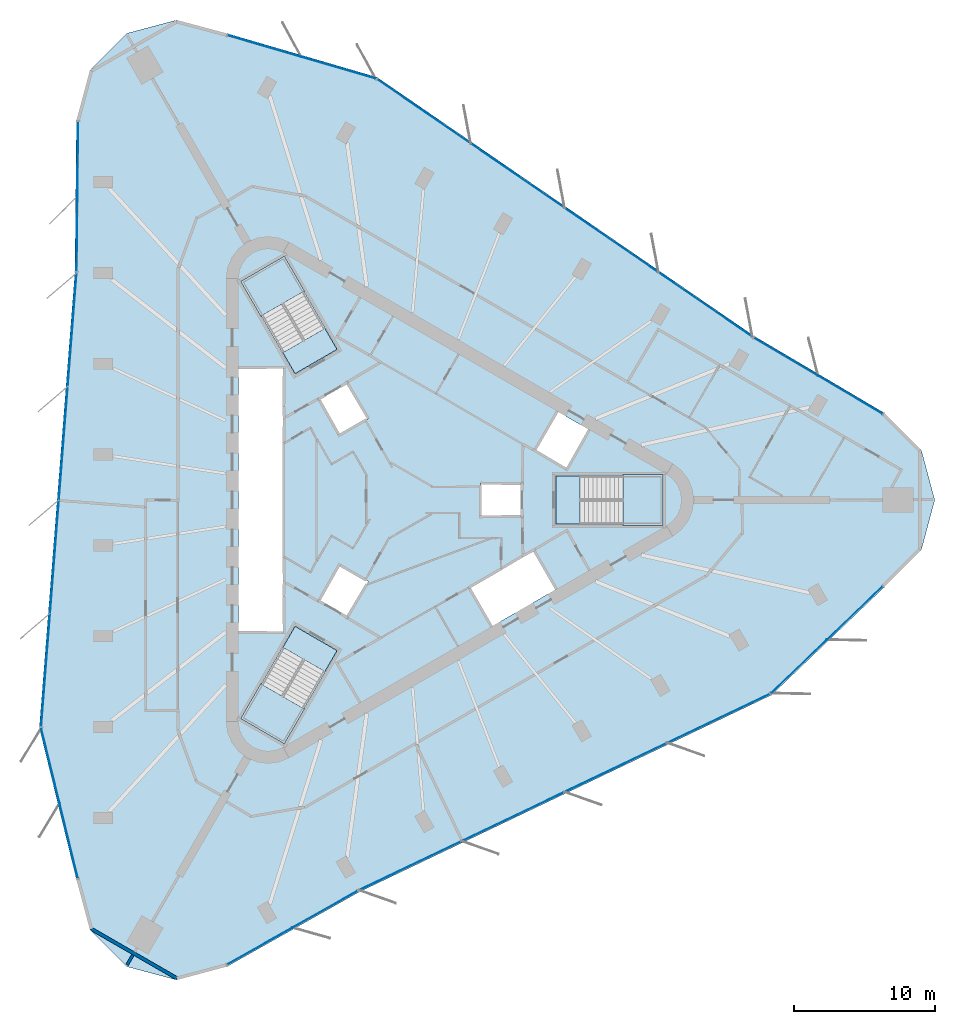
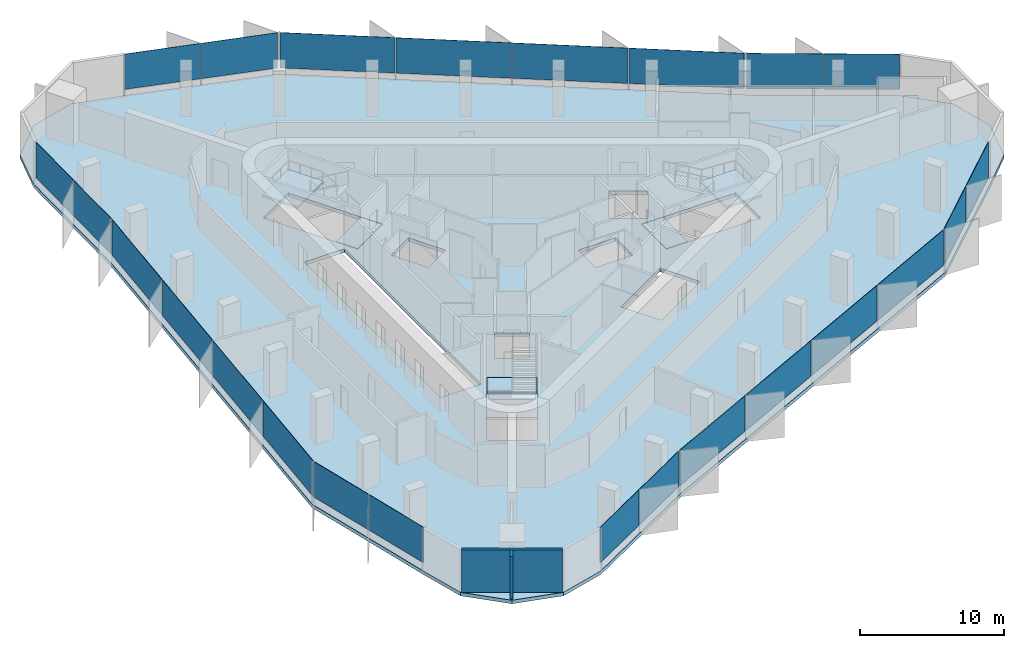
# One storey, part 7 of 14: 24 plates, 7 slabs, 2 walls, 12 elements without a shape of their own.
"""IFC4 building model written with IfcOpenShell, lengths in metres."""

from ifc_helpers import new_model, si_unit, direction, frame, frame_2d, origin, origin_2d, place, context, subcontext, project, spatial, polyline, rectangle, outline, extrude, material, layer, layer_set, type_object, element, aggregate, save


model = new_model("IFC4")

# Units and contexts
model_context = context("Model", 3, precision=1e-05, world=origin(), true_north=direction((0.0, 1.0)))
body_context = subcontext(model_context, "Body", "Model", "MODEL_VIEW")
ifc_project = project(units=[si_unit("LENGTHUNIT", "METRE"), si_unit("AREAUNIT", "SQUARE_METRE"), si_unit("VOLUMEUNIT", "CUBIC_METRE"), si_unit("PLANEANGLEUNIT", "RADIAN"), si_unit("MASSUNIT", "GRAM", prefix="KILO")], contexts=[model_context])

# Site, building, storey
site_placement = place(None, origin())
site = spatial("IfcSite", under=ifc_project, at=site_placement, CompositionType="ELEMENT")
building_placement = place(site_placement, origin())
building = spatial("IfcBuilding", under=site, at=building_placement, Name="Tanit Gate Tower", CompositionType="ELEMENT")
storey_placement = place(building_placement, frame((0.0, 0.0, 302.60009765625)))
storey = spatial("IfcBuildingStorey", under=building, at=storey_placement, Name="L67", CompositionType="ELEMENT", Elevation=302.60009765625)

# Slab
ifc_material_1 = material(Name="Concrete C35/45", Category="concrete")
ifc_layer_1 = layer(ifc_material_1, 0.300048828125)
ifc_layer_set_1 = layer_set([ifc_layer_1], Name="FLOOR SLAB 300 C35/45")
slab_type_1 = type_object("IfcSlabType", Name="FLOOR SLAB 300 C35/45", PredefinedType="FLOOR", material=ifc_layer_set_1)
slab_1_placement = place(storey_placement, frame((0.0, 0.0, -0.300048828125)))
element("IfcSlab", 1, at=slab_1_placement, inside=storey, type_object=slab_type_1, Name="FLOOR SLAB L67", PredefinedType="FLOOR", context=body_context, shape_type="SweptSolid", body=[
    extrude(outline(polyline([(34.760498046875, 6.18359375), (37.3740234375, 3.570068359375), (38.330810546875, 0.0), (37.3740234375, -3.570068359375), (34.760498046875, -6.18359375), (26.7236328125, -13.87255859375), (-2.61328125, -27.887939453125), (-12.025146484375, -33.1953125), (-15.59521484375, -34.152099609375), (-19.165283203125, -33.1953125), (-21.77880859375, -30.581787109375), (-22.735595703125, -27.01171875), (-25.3759765625, -16.20703125), (-22.84521484375, 16.20703125), (-22.735595703125, 27.01171875), (-21.77880859375, 30.581787109375), (-19.165283203125, 33.1953125), (-15.59521484375, 34.152099609375), (-12.025146484375, 33.1953125), (-1.347900390625, 30.07958984375), (25.458251953125, 11.680908203125), (34.760498046875, 6.18359375)]), holes=[polyline([(11.3701171875, 1.72998046875), (18.929931640625, 1.72998046875), (18.929931640625, -1.72998046875), (11.3701171875, -1.72998046875), (11.3701171875, 1.72998046875)]), polyline([(12.158935546875, 2.159912109375), (9.82080078125, 3.510009765625), (11.44580078125, 6.324462890625), (13.783935546875, 4.974609375), (12.158935546875, 2.159912109375)]), polyline([(11.44580078125, -6.324462890625), (6.76904296875, -9.0244140625), (5.14404296875, -6.2099609375), (9.82080078125, -3.510009765625), (11.44580078125, -6.324462890625)]), polyline([(6.0, 1.199951171875), (9.0, 1.199951171875), (9.0, -1.199951171875), (6.0, -1.199951171875), (6.0, 1.199951171875)]), polyline([(-4.039306640625, 4.59619140625), (-5.539306640625, 7.194091796875), (-3.460693359375, 8.394287109375), (-1.960693359375, 5.796142578125), (-4.039306640625, 4.59619140625)]), polyline([(-1.960693359375, -5.796142578125), (-3.460693359375, -8.394287109375), (-5.539306640625, -7.194091796875), (-4.039306640625, -4.59619140625), (-1.960693359375, -5.796142578125)]), polyline([(-7.18310546875, 8.981689453125), (-10.963134765625, 15.52880859375), (-7.966796875, 17.2587890625), (-4.186767578125, 10.711669921875), (-7.18310546875, 8.981689453125)]), polyline([(-4.186767578125, -10.711669921875), (-7.966796875, -17.2587890625), (-10.963134765625, -15.52880859375), (-7.18310546875, -8.981689453125), (-4.186767578125, -10.711669921875)]), polyline([(-11.199951171875, -9.449951171875), (-11.199951171875, 9.449951171875), (-7.949951171875, 9.449951171875), (-7.949951171875, -9.449951171875), (-11.199951171875, -9.449951171875)])]), origin(), (0.0, 0.0, 1.0), 0.300048828125),
])

# Curtain wall, plates
ifc_material_2 = material(Name="Aluminium bronze anodised and glass", Category="aluminium")
curtain_wall_type = type_object("IfcCurtainWallType", Name="Curtain wall typical high", PredefinedType="NOTDEFINED", material=ifc_material_2)
curtain_wall_1_placement = place(storey_placement, origin())
curtain_wall_1 = element("IfcCurtainWall", 2, at=curtain_wall_1_placement, inside=storey, type_object=curtain_wall_type, Name="Curtain wall L67 NE1", PredefinedType="NOTDEFINED")
ifc_material_3 = material(Name="Glass tinted", Category="glass")
ifc_layer_2 = layer(ifc_material_3, 0.028076171875)
ifc_layer_set_2 = layer_set([ifc_layer_2], Name="Glass panel 28 typical high")
plate_type = type_object("IfcPlateType", Name="Glass panel 28 typical high", PredefinedType="CURTAIN_PANEL", material=ifc_layer_set_2)
plate_1_placement = place(storey_placement, frame((32.34619140625, 7.47119140625, 0.599853515625), z_axis=(0.0, 0.0, 1.0), x_axis=(-0.860908042644, 0.508760594103, 0.0)))
plate_1 = element("IfcPlate", 3, at=plate_1_placement, type_object=plate_type, Name="Glass panel L67 NE1.1", PredefinedType="CURTAIN_PANEL", context=body_context, shape_type="SweptSolid", body=[
    extrude(rectangle(XDim=5.277099609375, YDim=0.028076171875, at=origin_2d()), origin(), (0.0, 0.0, 1.0), 3.0),
])
plate_2_placement = place(storey_placement, frame((27.734130859375, 10.196533203125, 0.599853515625), z_axis=(0.0, 0.0, 1.0), x_axis=(-0.860908042644, 0.508760594103, 0.0)))
plate_2 = element("IfcPlate", 4, at=plate_2_placement, type_object=plate_type, Name="Glass panel L67 NE1.2", PredefinedType="CURTAIN_PANEL", context=body_context, shape_type="SweptSolid", body=[
    extrude(rectangle(XDim=5.277099609375, YDim=0.028076171875, at=origin_2d()), origin(), (0.0, 0.0, 1.0), 3.0),
])
aggregate(curtain_wall_1, [plate_1, plate_2])

curtain_wall_2_placement = place(storey_placement, origin())
curtain_wall_2 = element("IfcCurtainWall", 5, at=curtain_wall_2_placement, inside=storey, type_object=curtain_wall_type, Name="Curtain wall L67 NE2", PredefinedType="NOTDEFINED")
plate_3_placement = place(storey_placement, frame((22.019775390625, 13.8955078125, 0.599853515625), z_axis=(0.0, 0.0, 1.0), x_axis=(-0.824478578624, 0.56589316429, 0.0)))
plate_3 = element("IfcPlate", 6, at=plate_3_placement, type_object=plate_type, Name="Glass panel L67 NE2.1", PredefinedType="CURTAIN_PANEL", context=body_context, shape_type="SweptSolid", body=[
    extrude(rectangle(XDim=8.0244140625, YDim=0.028076171875, at=origin_2d()), origin(), (0.0, 0.0, 1.0), 3.0),
])
plate_4_placement = place(storey_placement, frame((15.337890625, 18.481689453125, 0.599853515625), z_axis=(0.0, 0.0, 1.0), x_axis=(-0.824478578624, 0.56589316429, 0.0)))
plate_4 = element("IfcPlate", 7, at=plate_4_placement, type_object=plate_type, Name="Glass panel L67 NE2.2", PredefinedType="CURTAIN_PANEL", context=body_context, shape_type="SweptSolid", body=[
    extrude(rectangle(XDim=8.0244140625, YDim=0.028076171875, at=origin_2d()), origin(), (0.0, 0.0, 1.0), 3.0),
])
plate_5_placement = place(storey_placement, frame((8.656005859375, 23.06787109375, 0.599853515625), z_axis=(0.0, 0.0, 1.0), x_axis=(-0.824478578624, 0.56589316429, 0.0)))
plate_5 = element("IfcPlate", 8, at=plate_5_placement, type_object=plate_type, Name="Glass panel L67 NE2.3", PredefinedType="CURTAIN_PANEL", context=body_context, shape_type="SweptSolid", body=[
    extrude(rectangle(XDim=8.0244140625, YDim=0.028076171875, at=origin_2d()), origin(), (0.0, 0.0, 1.0), 3.0),
])
plate_6_placement = place(storey_placement, frame((1.97412109375, 27.654052734375, 0.599853515625), z_axis=(0.0, 0.0, 1.0), x_axis=(-0.824478578624, 0.56589316429, 0.0)))
plate_6 = element("IfcPlate", 9, at=plate_6_placement, type_object=plate_type, Name="Glass panel L67 NE2.4", PredefinedType="CURTAIN_PANEL", context=body_context, shape_type="SweptSolid", body=[
    extrude(rectangle(XDim=8.0244140625, YDim=0.028076171875, at=origin_2d()), origin(), (0.0, 0.0, 1.0), 3.0),
])
aggregate(curtain_wall_2, [plate_3, plate_4, plate_5, plate_6])

curtain_wall_3_placement = place(storey_placement, origin())
curtain_wall_3 = element("IfcCurtainWall", 10, at=curtain_wall_3_placement, inside=storey, type_object=curtain_wall_type, Name="Curtain wall L67 NE3", PredefinedType="NOTDEFINED")
plate_7_placement = place(storey_placement, frame((-4.08349609375, 30.7529296875, 0.599853515625), z_axis=(0.0, 0.0, 1.0), x_axis=(-0.959963733303, 0.280124313015, 0.0)))
plate_7 = element("IfcPlate", 11, at=plate_7_placement, type_object=plate_type, Name="Glass panel L67 NE3.1", PredefinedType="CURTAIN_PANEL", context=body_context, shape_type="SweptSolid", body=[
    extrude(rectangle(XDim=5.43115234375, YDim=0.028076171875, at=origin_2d()), origin(), (0.0, 0.0, 1.0), 3.0),
])
plate_8_placement = place(storey_placement, frame((-9.373779296875, 32.296630859375, 0.599853515625), z_axis=(0.0, 0.0, 1.0), x_axis=(-0.959963733303, 0.280124313015, 0.0)))
plate_8 = element("IfcPlate", 12, at=plate_8_placement, type_object=plate_type, Name="Glass panel L67 NE3.2", PredefinedType="CURTAIN_PANEL", context=body_context, shape_type="SweptSolid", body=[
    extrude(rectangle(XDim=5.430908203125, YDim=0.028076171875, at=origin_2d()), origin(), (0.0, 0.0, 1.0), 3.0),
])
aggregate(curtain_wall_3, [plate_7, plate_8])

curtain_wall_4_placement = place(storey_placement, origin())
curtain_wall_4 = element("IfcCurtainWall", 13, at=curtain_wall_4_placement, inside=storey, type_object=curtain_wall_type, Name="Curtain wall L67 W1", PredefinedType="NOTDEFINED")
plate_9_placement = place(storey_placement, frame((-22.643310546875, 24.277099609375, 0.599853515625), z_axis=(0.0, 0.0, 1.0), x_axis=(-0.010145577616, -0.999948532303, 0.0)))
plate_9 = element("IfcPlate", 14, at=plate_9_placement, type_object=plate_type, Name="Glass panel L67 W1.1", PredefinedType="CURTAIN_PANEL", context=body_context, shape_type="SweptSolid", body=[
    extrude(rectangle(XDim=5.277099609375, YDim=0.028076171875, at=origin_2d()), origin(), (0.0, 0.0, 1.0), 3.0),
])
plate_10_placement = place(storey_placement, frame((-22.697509765625, 18.920166015625, 0.599853515625), z_axis=(0.0, 0.0, 1.0), x_axis=(-0.010145577616, -0.999948532303, 0.0)))
plate_10 = element("IfcPlate", 15, at=plate_10_placement, type_object=plate_type, Name="Glass panel L67 W1.2", PredefinedType="CURTAIN_PANEL", context=body_context, shape_type="SweptSolid", body=[
    extrude(rectangle(XDim=5.277099609375, YDim=0.028076171875, at=origin_2d()), origin(), (0.0, 0.0, 1.0), 3.0),
])
aggregate(curtain_wall_4, [plate_9, plate_10])

curtain_wall_5_placement = place(storey_placement, origin())
curtain_wall_5 = element("IfcCurtainWall", 16, at=curtain_wall_5_placement, inside=storey, type_object=curtain_wall_type, Name="Curtain wall L67 W2", PredefinedType="NOTDEFINED")
plate_11_placement = place(storey_placement, frame((-23.043701171875, 12.1220703125, 0.599853515625), z_axis=(0.0, 0.0, 1.0), x_axis=(-0.077838566791, -0.996965976109, 0.0)))
plate_11 = element("IfcPlate", 17, at=plate_11_placement, type_object=plate_type, Name="Glass panel L67 W2.1", PredefinedType="CURTAIN_PANEL", context=body_context, shape_type="SweptSolid", body=[
    extrude(rectangle(XDim=8.0244140625, YDim=0.028076171875, at=origin_2d()), origin(), (0.0, 0.0, 1.0), 3.0),
])
plate_12_placement = place(storey_placement, frame((-23.674560546875, 4.042236328125, 0.599853515625), z_axis=(0.0, 0.0, 1.0), x_axis=(-0.077838566791, -0.996965976109, 0.0)))
plate_12 = element("IfcPlate", 18, at=plate_12_placement, type_object=plate_type, Name="Glass panel L67 W2.2", PredefinedType="CURTAIN_PANEL", context=body_context, shape_type="SweptSolid", body=[
    extrude(rectangle(XDim=8.0244140625, YDim=0.028076171875, at=origin_2d()), origin(), (0.0, 0.0, 1.0), 3.0),
])
plate_13_placement = place(storey_placement, frame((-24.305419921875, -4.03759765625, 0.599853515625), z_axis=(0.0, 0.0, 1.0), x_axis=(-0.077838566791, -0.996965976109, 0.0)))
plate_13 = element("IfcPlate", 19, at=plate_13_placement, type_object=plate_type, Name="Glass panel L67 W2.3", PredefinedType="CURTAIN_PANEL", context=body_context, shape_type="SweptSolid", body=[
    extrude(rectangle(XDim=8.0244140625, YDim=0.028076171875, at=origin_2d()), origin(), (0.0, 0.0, 1.0), 3.0),
])
plate_14_placement = place(storey_placement, frame((-24.936279296875, -12.117431640625, 0.599853515625), z_axis=(0.0, 0.0, 1.0), x_axis=(-0.077838566791, -0.996965976109, 0.0)))
plate_14 = element("IfcPlate", 20, at=plate_14_placement, type_object=plate_type, Name="Glass panel L67 W2.4", PredefinedType="CURTAIN_PANEL", context=body_context, shape_type="SweptSolid", body=[
    extrude(rectangle(XDim=8.0244140625, YDim=0.028076171875, at=origin_2d()), origin(), (0.0, 0.0, 1.0), 3.0),
])
aggregate(curtain_wall_5, [plate_11, plate_12, plate_13, plate_14])

curtain_wall_6_placement = place(storey_placement, origin())
curtain_wall_6 = element("IfcCurtainWall", 21, at=curtain_wall_6_placement, inside=storey, type_object=curtain_wall_type, Name="Curtain wall L67 W3", PredefinedType="NOTDEFINED")
plate_15_placement = place(storey_placement, frame((-24.591064453125, -18.912841796875, 0.599853515625), z_axis=(0.0, 0.0, 1.0), x_axis=(0.237387095363, -0.97141513626, 0.0)))
plate_15 = element("IfcPlate", 22, at=plate_15_placement, type_object=plate_type, Name="Glass panel L67 W3.1", PredefinedType="CURTAIN_PANEL", context=body_context, shape_type="SweptSolid", body=[
    extrude(rectangle(XDim=5.43115234375, YDim=0.028076171875, at=origin_2d()), origin(), (0.0, 0.0, 1.0), 3.0),
])
plate_16_placement = place(storey_placement, frame((-23.282958984375, -24.266357421875, 0.599853515625), z_axis=(0.0, 0.0, 1.0), x_axis=(0.237387095363, -0.97141513626, 0.0)))
plate_16 = element("IfcPlate", 23, at=plate_16_placement, type_object=plate_type, Name="Glass panel L67 W3.2", PredefinedType="CURTAIN_PANEL", context=body_context, shape_type="SweptSolid", body=[
    extrude(rectangle(XDim=5.430908203125, YDim=0.028076171875, at=origin_2d()), origin(), (0.0, 0.0, 1.0), 3.0),
])
aggregate(curtain_wall_6, [plate_15, plate_16])

curtain_wall_7_placement = place(storey_placement, origin())
curtain_wall_7 = element("IfcCurtainWall", 24, at=curtain_wall_7_placement, inside=storey, type_object=curtain_wall_type, Name="Curtain wall L67 SE1", PredefinedType="NOTDEFINED")
plate_17_placement = place(storey_placement, frame((-9.702880859375, -31.748046875, 0.599853515625), z_axis=(0.0, 0.0, 1.0), x_axis=(0.871053620259, 0.4911879382, 0.0)))
plate_17 = element("IfcPlate", 25, at=plate_17_placement, type_object=plate_type, Name="Glass panel L67 SE1.1", PredefinedType="CURTAIN_PANEL", context=body_context, shape_type="SweptSolid", body=[
    extrude(rectangle(XDim=5.277099609375, YDim=0.028076171875, at=origin_2d()), origin(), (0.0, 0.0, 1.0), 3.0),
])
plate_18_placement = place(storey_placement, frame((-5.03662109375, -29.11669921875, 0.599853515625), z_axis=(0.0, 0.0, 1.0), x_axis=(0.871053620259, 0.4911879382, 0.0)))
plate_18 = element("IfcPlate", 26, at=plate_18_placement, type_object=plate_type, Name="Glass panel L67 SE1.2", PredefinedType="CURTAIN_PANEL", context=body_context, shape_type="SweptSolid", body=[
    extrude(rectangle(XDim=5.277099609375, YDim=0.028076171875, at=origin_2d()), origin(), (0.0, 0.0, 1.0), 3.0),
])
aggregate(curtain_wall_7, [plate_17, plate_18])

curtain_wall_8_placement = place(storey_placement, origin())
curtain_wall_8 = element("IfcCurtainWall", 27, at=curtain_wall_8_placement, inside=storey, type_object=curtain_wall_type, Name="Curtain wall L67 SE2", PredefinedType="NOTDEFINED")
plate_19_placement = place(storey_placement, frame((1.02392578125, -26.017333984375, 0.599853515625), z_axis=(0.0, 0.0, 1.0), x_axis=(0.902317145415, 0.431072811819, 0.0)))
plate_19 = element("IfcPlate", 28, at=plate_19_placement, type_object=plate_type, Name="Glass panel L67 SE2.1", PredefinedType="CURTAIN_PANEL", context=body_context, shape_type="SweptSolid", body=[
    extrude(rectangle(XDim=8.0244140625, YDim=0.028076171875, at=origin_2d()), origin(), (0.0, 0.0, 1.0), 3.0),
])
plate_20_placement = place(storey_placement, frame((8.336669921875, -22.52392578125, 0.599853515625), z_axis=(0.0, 0.0, 1.0), x_axis=(0.902317145415, 0.431072811819, 0.0)))
plate_20 = element("IfcPlate", 29, at=plate_20_placement, type_object=plate_type, Name="Glass panel L67 SE2.2", PredefinedType="CURTAIN_PANEL", context=body_context, shape_type="SweptSolid", body=[
    extrude(rectangle(XDim=8.0244140625, YDim=0.028076171875, at=origin_2d()), origin(), (0.0, 0.0, 1.0), 3.0),
])
plate_21_placement = place(storey_placement, frame((15.6494140625, -19.0302734375, 0.599853515625), z_axis=(0.0, 0.0, 1.0), x_axis=(0.902317145415, 0.431072811819, 0.0)))
plate_21 = element("IfcPlate", 30, at=plate_21_placement, type_object=plate_type, Name="Glass panel L67 SE2.3", PredefinedType="CURTAIN_PANEL", context=body_context, shape_type="SweptSolid", body=[
    extrude(rectangle(XDim=8.0244140625, YDim=0.028076171875, at=origin_2d()), origin(), (0.0, 0.0, 1.0), 3.0),
])
plate_22_placement = place(storey_placement, frame((22.962158203125, -15.53662109375, 0.599853515625), z_axis=(0.0, 0.0, 1.0), x_axis=(0.902317145415, 0.431072811819, 0.0)))
plate_22 = element("IfcPlate", 31, at=plate_22_placement, type_object=plate_type, Name="Glass panel L67 SE2.4", PredefinedType="CURTAIN_PANEL", context=body_context, shape_type="SweptSolid", body=[
    extrude(rectangle(XDim=8.0244140625, YDim=0.028076171875, at=origin_2d()), origin(), (0.0, 0.0, 1.0), 3.0),
])
aggregate(curtain_wall_8, [plate_19, plate_20, plate_21, plate_22])

curtain_wall_9_placement = place(storey_placement, origin())
curtain_wall_9 = element("IfcCurtainWall", 32, at=curtain_wall_9_placement, inside=storey, type_object=curtain_wall_type, Name="Curtain wall L67 SE3", PredefinedType="NOTDEFINED")
plate_23_placement = place(storey_placement, frame((28.674560546875, -11.840087890625, 0.599853515625), z_axis=(0.0, 0.0, 1.0), x_axis=(0.72257663794, 0.691290823245, 0.0)))
plate_23 = element("IfcPlate", 33, at=plate_23_placement, type_object=plate_type, Name="Glass panel L67 SE3.1", PredefinedType="CURTAIN_PANEL", context=body_context, shape_type="SweptSolid", body=[
    extrude(rectangle(XDim=5.43115234375, YDim=0.028076171875, at=origin_2d()), origin(), (0.0, 0.0, 1.0), 3.0),
])
plate_24_placement = place(storey_placement, frame((32.65673828125, -8.0302734375, 0.599853515625), z_axis=(0.0, 0.0, 1.0), x_axis=(0.72257663794, 0.691290823245, 0.0)))
plate_24 = element("IfcPlate", 34, at=plate_24_placement, type_object=plate_type, Name="Glass panel L67 SE3.2", PredefinedType="CURTAIN_PANEL", context=body_context, shape_type="SweptSolid", body=[
    extrude(rectangle(XDim=5.430908203125, YDim=0.028076171875, at=origin_2d()), origin(), (0.0, 0.0, 1.0), 3.0),
])
aggregate(curtain_wall_9, [plate_23, plate_24])

# Stair, slab
ifc_material_4 = material(Name="Concrete C40/50", Category="concrete")
stair_type = type_object("IfcStairType", Name="INT-STAIR-EXIT", PredefinedType="HALF_TURN_STAIR", material=ifc_material_4)
stair_1_placement = place(storey_placement, origin())
stair_1 = element("IfcStair", 35, at=stair_1_placement, inside=storey, type_object=stair_type, Name="L67 STAIR S1", PredefinedType="HALF_TURN_STAIR")
ifc_material_5 = material(Name="Concrete C40/50", Category="concrete")
ifc_layer_3 = layer(ifc_material_5, 0.199951171875)
ifc_layer_set_3 = layer_set([ifc_layer_3], Name="INT-STAIR-LANDING")
slab_type_2 = type_object("IfcSlabType", Name="INT-STAIR-LANDING", PredefinedType="LANDING", material=ifc_layer_set_3)
slab_2_placement = place(storey_placement, frame((0.0, 0.0, 1.75)))
slab_2 = element("IfcSlab", 36, at=slab_2_placement, type_object=slab_type_2, Name="S1 landing 1", PredefinedType="LANDING", context=body_context, shape_type="SweptSolid", body=[
    extrude(outline(polyline([(16.135986328125, -1.800048828125), (19.0, -1.800048828125), (19.0, 1.800048828125), (16.135986328125, 1.800048828125), (16.135986328125, -1.800048828125)])), origin(), (0.0, 0.0, 1.0), 0.199951171875),
])
aggregate(stair_1, [slab_2])

# Slab
slab_3_placement = place(storey_placement, frame((0.0, 0.0, -0.2001953125)))
element("IfcSlab", 37, at=slab_3_placement, inside=storey, type_object=slab_type_2, Name="S1 floor landing", PredefinedType="LANDING", context=body_context, shape_type="SweptSolid", body=[
    extrude(outline(polyline([(11.3798828125, -1.719970703125), (13.10498046875, -1.719970703125), (13.10498046875, 1.719970703125), (11.3798828125, 1.719970703125), (11.3798828125, -1.719970703125)])), origin(), (0.0, 0.0, 1.0), 0.2001953125),
])

# Stair, slab
stair_2_placement = place(storey_placement, origin())
stair_2 = element("IfcStair", 38, at=stair_2_placement, inside=storey, type_object=stair_type, Name="L67 STAIR S2", PredefinedType="HALF_TURN_STAIR")
slab_4_placement = place(storey_placement, frame((0.0, 0.0, 1.75)))
slab_4 = element("IfcSlab", 39, at=slab_4_placement, type_object=slab_type_2, Name="S2 landing 1", PredefinedType="LANDING", context=body_context, shape_type="SweptSolid", body=[
    extrude(outline(polyline([(-6.5078125, 14.871826171875), (-7.941162109375, 17.3544921875), (-11.058837890625, 15.554443359375), (-9.62548828125, 13.07177734375), (-6.5078125, 14.871826171875)])), origin(), (0.0, 0.0, 1.0), 0.199951171875),
])
aggregate(stair_2, [slab_4])

# Slab
slab_5_placement = place(storey_placement, frame((0.0, 0.0, -0.2001953125)))
element("IfcSlab", 40, at=slab_5_placement, inside=storey, type_object=slab_type_2, Name="S2 floor landing", PredefinedType="LANDING", context=body_context, shape_type="SweptSolid", body=[
    extrude(outline(polyline([(-4.200439453125, 10.71533203125), (-5.0625, 12.20849609375), (-8.04150390625, 10.48828125), (-7.179443359375, 8.995361328125), (-4.200439453125, 10.71533203125)])), origin(), (0.0, 0.0, 1.0), 0.2001953125),
])

# Stair, slab
stair_3_placement = place(storey_placement, origin())
stair_3 = element("IfcStair", 41, at=stair_3_placement, inside=storey, type_object=stair_type, Name="L67 STAIR S3", PredefinedType="HALF_TURN_STAIR")
slab_6_placement = place(storey_placement, frame((0.0, 0.0, 1.75)))
slab_6 = element("IfcSlab", 42, at=slab_6_placement, type_object=slab_type_2, Name="S3 landing 1", PredefinedType="LANDING", context=body_context, shape_type="SweptSolid", body=[
    extrude(outline(polyline([(-9.626953125, -13.07421875), (-11.058837890625, -15.554443359375), (-7.941162109375, -17.3544921875), (-6.509033203125, -14.874267578125), (-9.626953125, -13.07421875)])), origin(), (0.0, 0.0, 1.0), 0.199951171875),
])
aggregate(stair_3, [slab_6])

# Slab
slab_7_placement = place(storey_placement, frame((0.0, 0.0, -0.2001953125)))
element("IfcSlab", 43, at=slab_7_placement, inside=storey, type_object=slab_type_2, Name="S3 floor landing", PredefinedType="LANDING", context=body_context, shape_type="SweptSolid", body=[
    extrude(outline(polyline([(-7.179443359375, -8.995361328125), (-8.0419921875, -10.4892578125), (-5.06298828125, -12.209228515625), (-4.200439453125, -10.71533203125), (-7.179443359375, -8.995361328125)])), origin(), (0.0, 0.0, 1.0), 0.2001953125),
])

# Walls
ifc_material_6 = material(Name="Concrete C30/37 with bronze anodised aluminium cladding", Category="concrete")
ifc_layer_4 = layer(ifc_material_6, 0.239990234375)
ifc_layer_set_4 = layer_set([ifc_layer_4], Name="Facade wall bronze clad 240")
wall_type_1 = type_object("IfcWallType", Name="Facade wall bronze clad 240", PredefinedType="SOLIDWALL", material=ifc_layer_set_4)
wall_1_placement = place(storey_placement, frame((-21.67138671875, -30.519775390625, 0.0), z_axis=(0.0, 0.0, 1.0), x_axis=(0.866026812589, -0.499997559872, 0.0)))
element("IfcWall", 44, at=wall_1_placement, inside=storey, type_object=wall_type_1, Name="Bronze-clad facade wall L67 SW.arc2", PredefinedType="SOLIDWALL", context=body_context, shape_type="SweptSolid", body=[
    extrude(rectangle(XDim=7.01611328125, YDim=0.239990234375, at=frame_2d((3.508056640625, 0.0))), origin(), (0.0, 0.0, 1.0), 3.599853515625),
])
ifc_material_7 = material(Name="Fire-rated gypsum board partition")
ifc_layer_5 = layer(ifc_material_7, 0.199951171875)
ifc_layer_set_5 = layer_set([ifc_layer_5], Name="INT-WALL-COMPARTMENT")
wall_type_2 = type_object("IfcWallType", Name="INT-WALL-COMPARTMENT", PredefinedType="PARTITIONING", material=ifc_layer_set_5)
wall_2_placement = place(storey_placement, frame((-19.125244140625, -33.06591796875, 0.0), z_axis=(0.0, 0.0, 1.0), x_axis=(0.500052144805, 0.865995295874, 0.0)))
element("IfcWall", 45, at=wall_2_placement, inside=storey, type_object=wall_type_2, Name="Wall Compartment W113", PredefinedType="PARTITIONING", context=body_context, shape_type="SweptSolid", body=[
    extrude(rectangle(XDim=0.81201171875, YDim=0.199951171875, at=frame_2d((0.406005859375, 0.0))), origin(), (0.0, 0.0, 1.0), 3.599853515625),
])

save(model, "model.ifc")
